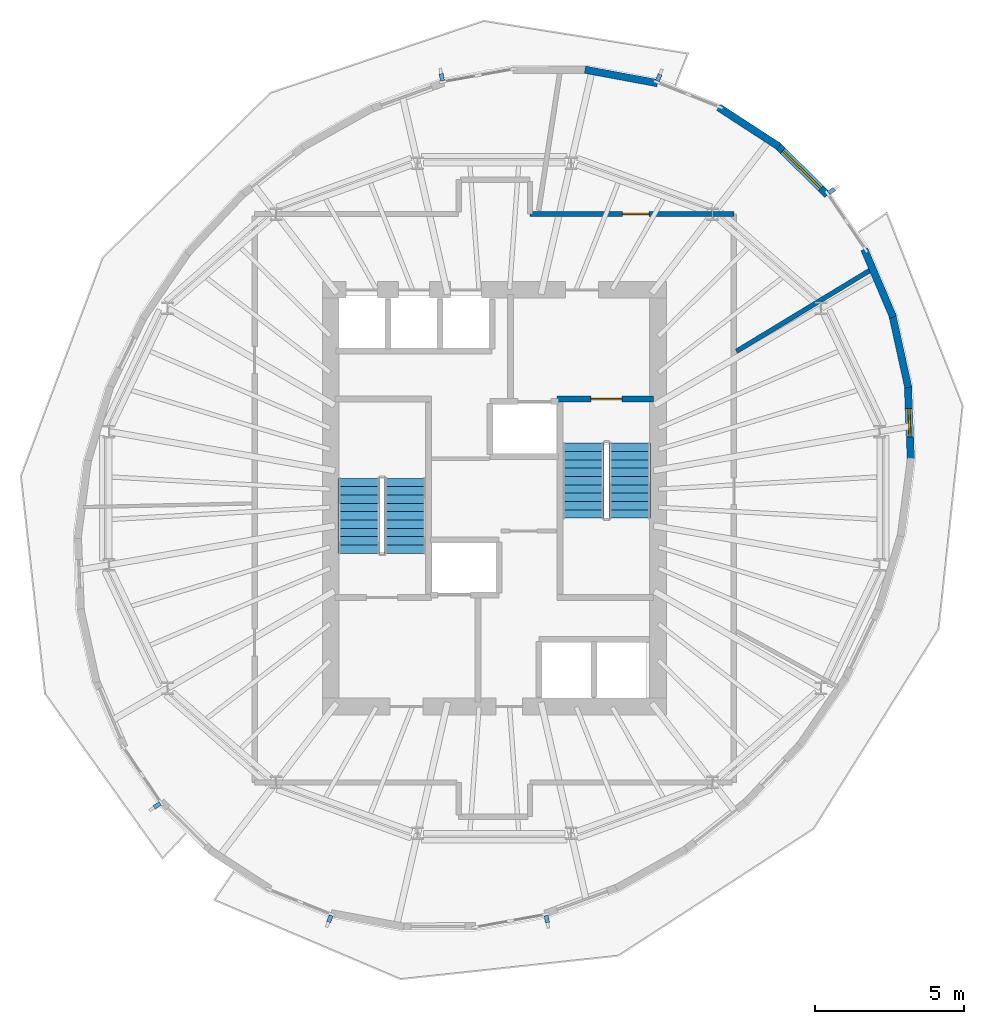
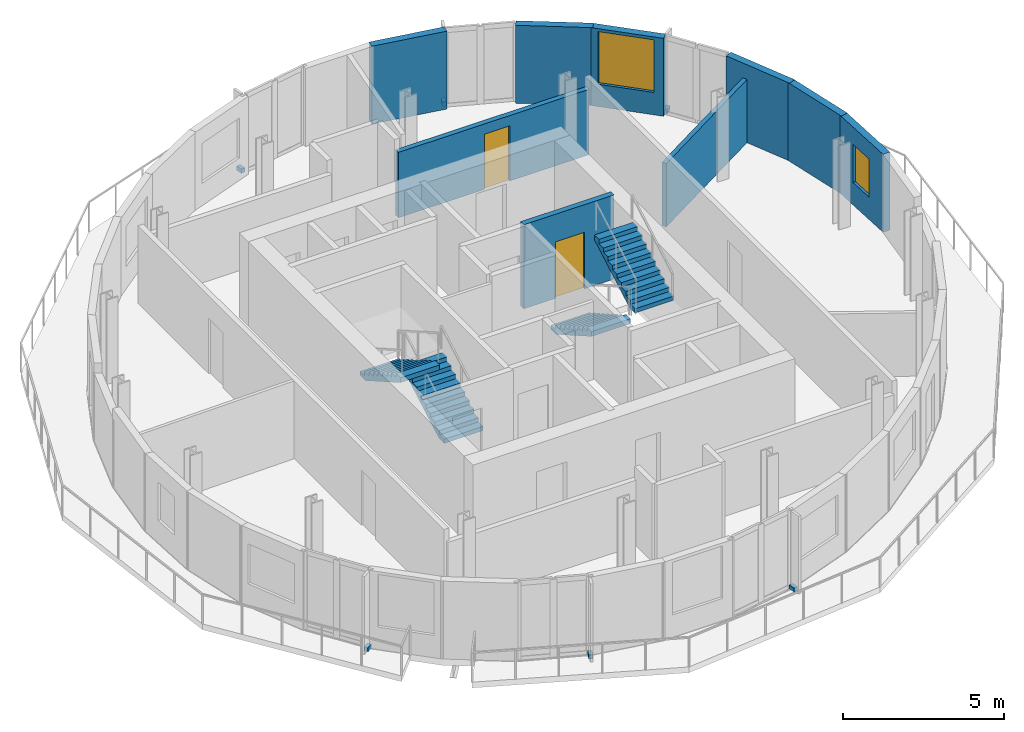
# One storey, part 6 of 9: 9 walls, 6 discrete accessories, 4 stair flights, 2 doors, 2 windows, 4 openings, 2 elements without a shape of their own.
"""IFC4 building model written with IfcOpenShell, lengths in metres."""

from ifc_helpers import new_model, si_unit, direction, frame, frame_2d, origin, origin_2d, place, context, subcontext, project, spatial, polyline, rectangle, outline, extrude, material, layer, layer_set, type_object, element, fill, aggregate, save


model = new_model("IFC4")

# Units and contexts
model_context = context("Model", 3, precision=1e-05, world=origin(), true_north=direction((0.0, 1.0)))
body_context = subcontext(model_context, "Body", "Model", "MODEL_VIEW")
ifc_project = project(units=[si_unit("LENGTHUNIT", "METRE"), si_unit("AREAUNIT", "SQUARE_METRE"), si_unit("VOLUMEUNIT", "CUBIC_METRE"), si_unit("PLANEANGLEUNIT", "RADIAN"), si_unit("MASSUNIT", "GRAM", prefix="KILO")], contexts=[model_context])

# Site, building, storey
site_placement = place(None, origin())
site = spatial("IfcSite", under=ifc_project, at=site_placement, CompositionType="ELEMENT")
building_placement = place(site_placement, origin())
building = spatial("IfcBuilding", under=site, at=building_placement, Name="Veldorim Arch Residences", CompositionType="ELEMENT")
storey_placement = place(building_placement, frame((0.0, 0.0, 204.639892578125)))
storey = spatial("IfcBuildingStorey", under=building, at=storey_placement, Name="L61", CompositionType="ELEMENT", Elevation=204.639892578125)

# Wall, opening, door
ifc_material_1 = material(Name="Lightweight Masonry Block & Gypsum", Category="masonry")
ifc_layer_1 = layer(ifc_material_1, 0.179931640625, Name="Compartment & Corridor Fire-Rated Party Wall 180")
ifc_layer_set_1 = layer_set([ifc_layer_1], Name="Lightweight Masonry Block & Gypsum")
wall_type_1 = type_object("IfcWallType", Name="Compartment & Corridor Fire-Rated Party Wall 180", PredefinedType="PARTITIONING", material=ifc_layer_set_1)
wall_1_placement = place(storey_placement, frame((33.199951171875, 33.550048828125, 0.0), z_axis=(0.0, 0.0, 1.0), x_axis=(1.0, 0.0, 0.0)))
wall_1 = element("IfcWall", 1, at=wall_1_placement, inside=storey, type_object=wall_type_1, Name="L61 interior wall WL-SKY-L61-005", PredefinedType="PARTITIONING", context=body_context, shape_type="SweptSolid", body=[
    extrude(rectangle(XDim=6.85009765625, YDim=0.179931640625, at=frame_2d((3.425048828125, 0.0))), origin(), (0.0, 0.0, 1.0), 2.488037109375),
])
opening_1_placement = place(wall_1_placement, frame((3.100830078125, 0.0, 0.0)))
opening_1 = element("IfcOpeningElement", 2, at=opening_1_placement, cuts=wall_1, Name="Opening DR-INT", PredefinedType="OPENING", context=body_context, shape_type="SweptSolid", body=[
    extrude(rectangle(XDim=0.89990234375, YDim=2.10009765625, at=frame_2d((0.449951171875, 1.050048828125))), frame((0.0, 0.099853515625, 0.0), z_axis=(0.0, -1.0, 0.0), x_axis=(1.0, 0.0, 0.0)), (0.0, 0.0, 1.0), 0.199951171875),
])
ifc_material_2 = material(Name="Engineered Timber", Category="wood")
door_type_1 = type_object("IfcDoorType", Name="Apartment Internal Room Timber Door 900x2100", OperationType="SINGLE_SWING_LEFT", PredefinedType="DOOR", material=ifc_material_2)
door_1_placement = place(opening_1_placement, origin())
door_1 = element("IfcDoor", 3, at=door_1_placement, inside=storey, type_object=door_type_1, Name="L61 interior door DR-SKY-L61-004", OperationType="SINGLE_SWING_RIGHT", OverallHeight=2.10009765625, OverallWidth=0.89990234375, PredefinedType="DOOR", context=body_context, shape_type="SweptSolid", body=[
    extrude(rectangle(XDim=0.89990234375, YDim=2.10009765625, at=frame_2d((0.449951171875, 1.050048828125))), frame((0.0, 0.02490234375, 0.0), z_axis=(0.0, -1.0, 0.0), x_axis=(1.0, 0.0, 0.0)), (0.0, 0.0, 1.0), 0.050048828125),
])
fill(opening_1, door_1)

ifc_material_3 = material(Name="Concrete C50/60", Category="concrete")
ifc_layer_2 = layer(ifc_material_3, 0.199951171875, Name="Core Stair & Lift Shaft Enclosure Wall 200")
ifc_layer_set_2 = layer_set([ifc_layer_2], Name="Concrete C50/60")
wall_type_2 = type_object("IfcWallType", Name="Core Stair & Lift Shaft Enclosure Wall 200", PredefinedType="SHEAR", material=ifc_layer_set_2)
wall_2_placement = place(storey_placement, frame((34.110107421875, 27.330078125, 0.0), z_axis=(0.0, 0.0, 1.0), x_axis=(1.0, 0.0, 0.0)))
wall_2 = element("IfcWall", 4, at=wall_2_placement, inside=storey, type_object=wall_type_2, Name="L61 shaft wall WL-SHF-L61-ST2-N", PredefinedType="SHEAR", context=body_context, shape_type="SweptSolid", body=[
    extrude(rectangle(XDim=3.239990234375, YDim=0.199951171875, at=frame_2d((1.6201171875, 0.0))), origin(), (0.0, 0.0, 1.0), 3.2001953125),
])
opening_2_placement = place(wall_2_placement, frame((1.135009765625, 0.0, 0.0)))
opening_2 = element("IfcOpeningElement", 5, at=opening_2_placement, cuts=wall_2, Name="Opening DR-ST", PredefinedType="OPENING", context=body_context, shape_type="SweptSolid", body=[
    extrude(rectangle(XDim=1.050048828125, YDim=2.14990234375, at=frame_2d((0.52490234375, 1.074951171875))), frame((0.0, 0.10986328125, 0.0), z_axis=(0.0, -1.0, 0.0), x_axis=(1.0, 0.0, 0.0)), (0.0, 0.0, 1.0), 0.219970703125),
])
ifc_material_4 = material(Name="Fire-Rated Steel", Category="steel")
door_type_2 = type_object("IfcDoorType", Name="Exit Staircase Self-Closing Fire Door 1050x2150", OperationType="SINGLE_SWING_LEFT", PredefinedType="DOOR", material=ifc_material_4)
door_2_placement = place(opening_2_placement, origin())
door_2 = element("IfcDoor", 6, at=door_2_placement, inside=storey, type_object=door_type_2, Name="L61 interior door DR-L61-ST2", OperationType="SINGLE_SWING_RIGHT", OverallHeight=2.14990234375, OverallWidth=1.050048828125, PredefinedType="DOOR", context=body_context, shape_type="SweptSolid", body=[
    extrude(rectangle(XDim=1.050048828125, YDim=2.14990234375, at=frame_2d((0.52490234375, 1.074951171875))), frame((0.0, 0.02490234375, 0.0), z_axis=(0.0, -1.0, 0.0), x_axis=(1.0, 0.0, 0.0)), (0.0, 0.0, 1.0), 0.050048828125),
])
fill(opening_2, door_2)

# Walls
ifc_material_5 = material(Name="Precast concrete C40/50", Category="concrete")
ifc_layer_3 = layer(ifc_material_5, 0.25, Name="Tower Terracotta Spandrel & Pier Wall 250")
ifc_layer_set_3 = layer_set([ifc_layer_3], Name="Precast concrete C40/50")
wall_type_3 = type_object("IfcWallType", Name="Tower Terracotta Spandrel & Pier Wall 250", PredefinedType="SOLIDWALL", material=ifc_layer_set_3)
wall_3_placement = place(storey_placement, frame((39.5361328125, 37.13232421875, 0.0), z_axis=(0.0, 0.0, 1.0), x_axis=(0.83855679862, -0.544814184368, 0.0)))
element("IfcWall", 7, at=wall_3_placement, inside=storey, type_object=wall_type_3, Name="L61 terracotta facade wall 01", PredefinedType="SOLIDWALL", context=body_context, shape_type="SweptSolid", body=[
    extrude(rectangle(XDim=2.41455078125, YDim=0.25, at=frame_2d((1.207275390625, 0.0))), origin(), (0.0, 0.0, 1.0), 2.960205078125),
])
wall_4_placement = place(storey_placement, frame((35.0458984375, 38.400634765625, 0.0), z_axis=(0.0, 0.0, 1.0), x_axis=(0.983080153293, -0.183175905079, 0.0)))
element("IfcWall", 8, at=wall_4_placement, inside=storey, type_object=wall_type_3, Name="L61 terracotta facade wall 03", PredefinedType="SOLIDWALL", context=body_context, shape_type="SweptSolid", body=[
    extrude(rectangle(XDim=2.477783203125, YDim=0.25, at=frame_2d((1.23876953125, 0.0))), origin(), (0.0, 0.0, 1.0), 2.960205078125),
])

# Wall, opening, window
wall_5_placement = place(storey_placement, frame((45.89697265625, 27.8310546875, 0.0), z_axis=(0.0, 0.0, 1.0), x_axis=(0.0391781915, -0.999232239928, 0.0)))
wall_5 = element("IfcWall", 9, at=wall_5_placement, inside=storey, type_object=wall_type_3, Name="L61 terracotta facade wall 32", PredefinedType="SOLIDWALL", context=body_context, shape_type="SweptSolid", body=[
    extrude(rectangle(XDim=2.59228515625, YDim=0.25, at=frame_2d((1.296142578125, 0.0))), origin(), (0.0, 0.0, 1.0), 2.960205078125),
])
opening_3_placement = place(wall_5_placement, frame((0.821044921875, 0.0, 0.85009765625)))
opening_3 = element("IfcOpeningElement", 10, at=opening_3_placement, cuts=wall_5, Name="Opening WN-05", PredefinedType="OPENING", context=body_context, shape_type="SweptSolid", body=[
    extrude(rectangle(XDim=0.949951171875, YDim=1.449951171875, at=frame_2d((0.47509765625, 0.72509765625))), frame((0.0, 0.135009765625, 0.0), z_axis=(0.0, -1.0, 0.0), x_axis=(1.0, 0.0, 0.0)), (0.0, 0.0, 1.0), 0.27001953125),
])
ifc_material_6 = material(Name="Laminated Low-E Glass", Category="glass")
window_type_1 = type_object("IfcWindowType", Name="Residential Compact Casement Window 950x1450", PartitioningType="SINGLE_PANEL", PredefinedType="WINDOW", material=ifc_material_6)
window_1_placement = place(opening_3_placement, origin())
window_1 = element("IfcWindow", 11, at=window_1_placement, inside=storey, type_object=window_type_1, Name="L61 solar-control facade window 32", OverallHeight=1.449951171875, OverallWidth=0.949951171875, PartitioningType="SINGLE_PANEL", PredefinedType="WINDOW", context=body_context, shape_type="SweptSolid", body=[
    extrude(rectangle(XDim=0.949951171875, YDim=1.449951171875, at=frame_2d((0.47509765625, 0.72509765625))), frame((0.0, 0.030029296875, 0.0), z_axis=(0.0, -1.0, 0.0), x_axis=(1.0, 0.0, 0.0)), (0.0, 0.0, 1.0), 0.06005859375),
])
fill(opening_3, window_1)

# Walls
wall_6_placement = place(storey_placement, frame((45.367919921875, 30.193115234375, 0.0), z_axis=(0.0, 0.0, 1.0), x_axis=(0.214642879542, -0.976692599676, 0.0)))
element("IfcWall", 12, at=wall_6_placement, inside=storey, type_object=wall_type_3, Name="L61 terracotta facade wall 33", PredefinedType="SOLIDWALL", context=body_context, shape_type="SweptSolid", body=[
    extrude(rectangle(XDim=2.531982421875, YDim=0.25, at=frame_2d((1.26611328125, 0.0))), origin(), (0.0, 0.0, 1.0), 2.960205078125),
])
wall_7_placement = place(storey_placement, frame((44.4326171875, 32.3662109375, 0.0), z_axis=(0.0, 0.0, 1.0), x_axis=(0.391230346066, -0.920292788365, 0.0)))
element("IfcWall", 13, at=wall_7_placement, inside=storey, type_object=wall_type_3, Name="L61 terracotta facade wall 34", PredefinedType="SOLIDWALL", context=body_context, shape_type="SweptSolid", body=[
    extrude(rectangle(XDim=2.47802734375, YDim=0.25, at=frame_2d((1.239013671875, 0.0))), origin(), (0.0, 0.0, 1.0), 2.960205078125),
])

# Wall, opening, window
wall_8_placement = place(storey_placement, frame((41.471435546875, 35.888671875, 0.0), z_axis=(0.0, 0.0, 1.0), x_axis=(0.713146654272, -0.701014871098, 0.0)))
wall_8 = element("IfcWall", 14, at=wall_8_placement, inside=storey, type_object=wall_type_3, Name="L61 terracotta facade wall 36", PredefinedType="SOLIDWALL", context=body_context, shape_type="SweptSolid", body=[
    extrude(rectangle(XDim=2.414794921875, YDim=0.25, at=frame_2d((1.20751953125, 0.0))), origin(), (0.0, 0.0, 1.0), 2.960205078125),
])
opening_4_placement = place(wall_8_placement, frame((0.306884765625, 0.0, 0.85009765625)))
opening_4 = element("IfcOpeningElement", 15, at=opening_4_placement, cuts=wall_8, Name="Opening WN-04", PredefinedType="OPENING", context=body_context, shape_type="SweptSolid", body=[
    extrude(rectangle(XDim=1.800048828125, YDim=2.0, at=frame_2d((0.89990234375, 1.0))), frame((0.0, 0.135009765625, 0.0), z_axis=(0.0, -1.0, 0.0), x_axis=(1.0, 0.0, 0.0)), (0.0, 0.0, 1.0), 0.27001953125),
])
ifc_material_7 = material(Name="Laminated Low-E Glass", Category="glass")
window_type_2 = type_object("IfcWindowType", Name="Sky Lounge Tall Picture Window 1800x1370", PartitioningType="SINGLE_PANEL", PredefinedType="WINDOW", material=ifc_material_7)
window_2_placement = place(opening_4_placement, origin())
window_2 = element("IfcWindow", 16, at=window_2_placement, inside=storey, type_object=window_type_2, Name="L61 solar-control facade window 36", OverallHeight=2.0, OverallWidth=1.800048828125, PartitioningType="SINGLE_PANEL", PredefinedType="WINDOW", context=body_context, shape_type="SweptSolid", body=[
    extrude(rectangle(XDim=1.800048828125, YDim=2.0, at=frame_2d((0.89990234375, 1.0))), frame((0.0, 0.030029296875, 0.0), z_axis=(0.0, -1.0, 0.0), x_axis=(1.0, 0.0, 0.0)), (0.0, 0.0, 1.0), 0.06005859375),
])
fill(opening_4, window_2)

# Wall
ifc_material_8 = material(Name="Moisture-Resistant Gypsum & Stud", Category="gypsum")
ifc_layer_4 = layer(ifc_material_8, 0.159912109375, Name="Wet-Area Moisture-Resistant Plumbing Wall 160")
ifc_layer_set_4 = layer_set([ifc_layer_4], Name="Moisture-Resistant Gypsum & Stud")
wall_type_4 = type_object("IfcWallType", Name="Wet-Area Moisture-Resistant Plumbing Wall 160", PredefinedType="PLUMBINGWALL", material=ifc_layer_set_4)
wall_9_placement = place(storey_placement, frame((40.135498046875, 28.934814453125, 0.0), z_axis=(0.0, 0.0, 1.0), x_axis=(0.854997779071, 0.518631659064, 0.0)))
element("IfcWall", 17, at=wall_9_placement, inside=storey, type_object=wall_type_4, Name="L61 interior wall WL-SKY-L61-016", PredefinedType="PLUMBINGWALL", context=body_context, shape_type="SweptSolid", body=[
    extrude(rectangle(XDim=5.29638671875, YDim=0.159912109375, at=frame_2d((2.648193359375, 0.0))), origin(), (0.0, 0.0, 1.0), 2.403564453125),
])

# Stair, stair flights
ifc_material_9 = material(Name="Concrete C40/50", Category="concrete")
stair_type = type_object("IfcStairType", Name="Reinforced Concrete Dogleg Exit Staircase", PredefinedType="HALF_TURN_STAIR", material=ifc_material_9)
stair_1_placement = place(storey_placement, origin())
stair_1 = element("IfcStair", 18, at=stair_1_placement, inside=storey, type_object=stair_type, Name="L61 Exit Staircase ST-1", PredefinedType="HALF_TURN_STAIR")
ifc_material_10 = material(Name="Concrete C40/50", Category="concrete")
stair_flight_type = type_object("IfcStairFlightType", Name="Reinforced Concrete Stair Flight 1400", PredefinedType="STRAIGHT", material=ifc_material_10)
stair_flight_1_placement = place(storey_placement, frame((29.010009765625, 22.14990234375, 0.0), z_axis=(0.0, 0.0, 1.0), x_axis=(0.0, 1.0, 0.0)))
stair_flight_1 = element("IfcStairFlight", 19, at=stair_flight_1_placement, type_object=stair_flight_type, Name="ST-1 flight 1", NumberOfRisers=10, NumberOfTreads=9, PredefinedType="STRAIGHT", RiserHeight=0.16, TreadLength=0.28, context=body_context, shape_type="SweptSolid", body=[
    extrude(outline(polyline([(0.0, 0.0), (0.0, 0.159912109375), (0.280029296875, 0.159912109375), (0.280029296875, 0.320068359375), (0.56005859375, 0.320068359375), (0.56005859375, 0.47998046875), (0.840087890625, 0.47998046875), (0.840087890625, 0.639892578125), (1.1201171875, 0.639892578125), (1.1201171875, 0.800048828125), (1.39990234375, 0.800048828125), (1.39990234375, 0.9599609375), (1.679931640625, 0.9599609375), (1.679931640625, 1.1201171875), (1.9599609375, 1.1201171875), (1.9599609375, 1.280029296875), (2.239990234375, 1.280029296875), (2.239990234375, 1.43994140625), (2.52001953125, 1.43994140625), (2.52001953125, 1.60009765625), (2.52001953125, 1.255859375), (0.322265625, 0.0), (0.0, 0.0)])), frame((0.0, 0.699951171875, 0.0), z_axis=(0.0, -1.0, 0.0), x_axis=(1.0, 0.0, 0.0)), (0.0, 0.0, 1.0), 1.39990234375),
])
stair_flight_2_placement = place(storey_placement, frame((27.449951171875, 24.669921875, 1.60009765625), z_axis=(0.0, 0.0, 1.0), x_axis=(0.0, -1.0, 0.0)))
stair_flight_2 = element("IfcStairFlight", 20, at=stair_flight_2_placement, type_object=stair_flight_type, Name="ST-1 flight 2", NumberOfRisers=10, NumberOfTreads=9, PredefinedType="STRAIGHT", RiserHeight=0.16, TreadLength=0.28, context=body_context, shape_type="SweptSolid", body=[
    extrude(outline(polyline([(0.0, 0.0), (0.0, 0.159912109375), (0.280029296875, 0.159912109375), (0.280029296875, 0.320068359375), (0.56005859375, 0.320068359375), (0.56005859375, 0.47998046875), (0.840087890625, 0.47998046875), (0.840087890625, 0.639892578125), (1.1201171875, 0.639892578125), (1.1201171875, 0.800048828125), (1.39990234375, 0.800048828125), (1.39990234375, 0.9599609375), (1.679931640625, 0.9599609375), (1.679931640625, 1.1201171875), (1.9599609375, 1.1201171875), (1.9599609375, 1.280029296875), (2.239990234375, 1.280029296875), (2.239990234375, 1.43994140625), (2.52001953125, 1.43994140625), (2.52001953125, 1.60009765625), (2.52001953125, 1.255859375), (0.322265625, 0.0), (0.0, 0.0)])), frame((0.0, 0.699951171875, 0.0), z_axis=(0.0, -1.0, 0.0), x_axis=(1.0, 0.0, 0.0)), (0.0, 0.0, 1.0), 1.39990234375),
])
aggregate(stair_1, [stair_flight_1, stair_flight_2])

stair_2_placement = place(storey_placement, origin())
stair_2 = element("IfcStair", 21, at=stair_2_placement, inside=storey, type_object=stair_type, Name="L61 Exit Staircase ST-2", PredefinedType="HALF_TURN_STAIR")
stair_flight_3_placement = place(storey_placement, frame((34.989990234375, 25.85009765625, 0.0), z_axis=(0.0, 0.0, 1.0), x_axis=(0.0, -1.0, 0.0)))
stair_flight_3 = element("IfcStairFlight", 22, at=stair_flight_3_placement, type_object=stair_flight_type, Name="ST-2 flight 1", NumberOfRisers=10, NumberOfTreads=9, PredefinedType="STRAIGHT", RiserHeight=0.16, TreadLength=0.28, context=body_context, shape_type="SweptSolid", body=[
    extrude(outline(polyline([(0.0, 0.0), (0.0, 0.159912109375), (0.280029296875, 0.159912109375), (0.280029296875, 0.320068359375), (0.56005859375, 0.320068359375), (0.56005859375, 0.47998046875), (0.840087890625, 0.47998046875), (0.840087890625, 0.639892578125), (1.1201171875, 0.639892578125), (1.1201171875, 0.800048828125), (1.39990234375, 0.800048828125), (1.39990234375, 0.9599609375), (1.679931640625, 0.9599609375), (1.679931640625, 1.1201171875), (1.9599609375, 1.1201171875), (1.9599609375, 1.280029296875), (2.239990234375, 1.280029296875), (2.239990234375, 1.43994140625), (2.52001953125, 1.43994140625), (2.52001953125, 1.60009765625), (2.52001953125, 1.255859375), (0.322265625, 0.0), (0.0, 0.0)])), frame((0.0, 0.699951171875, 0.0), z_axis=(0.0, -1.0, 0.0), x_axis=(1.0, 0.0, 0.0)), (0.0, 0.0, 1.0), 1.39990234375),
])
stair_flight_4_placement = place(storey_placement, frame((36.550048828125, 23.330078125, 1.60009765625), z_axis=(0.0, 0.0, 1.0), x_axis=(0.0, 1.0, 0.0)))
stair_flight_4 = element("IfcStairFlight", 23, at=stair_flight_4_placement, type_object=stair_flight_type, Name="ST-2 flight 2", NumberOfRisers=10, NumberOfTreads=9, PredefinedType="STRAIGHT", RiserHeight=0.16, TreadLength=0.28, context=body_context, shape_type="SweptSolid", body=[
    extrude(outline(polyline([(0.0, 0.0), (0.0, 0.159912109375), (0.280029296875, 0.159912109375), (0.280029296875, 0.320068359375), (0.56005859375, 0.320068359375), (0.56005859375, 0.47998046875), (0.840087890625, 0.47998046875), (0.840087890625, 0.639892578125), (1.1201171875, 0.639892578125), (1.1201171875, 0.800048828125), (1.39990234375, 0.800048828125), (1.39990234375, 0.9599609375), (1.679931640625, 0.9599609375), (1.679931640625, 1.1201171875), (1.9599609375, 1.1201171875), (1.9599609375, 1.280029296875), (2.239990234375, 1.280029296875), (2.239990234375, 1.43994140625), (2.52001953125, 1.43994140625), (2.52001953125, 1.60009765625), (2.52001953125, 1.255859375), (0.322265625, 0.0), (0.0, 0.0)])), frame((0.0, 0.699951171875, 0.0), z_axis=(0.0, -1.0, 0.0), x_axis=(1.0, 0.0, 0.0)), (0.0, 0.0, 1.0), 1.39990234375),
])
aggregate(stair_2, [stair_flight_3, stair_flight_4])

# Discrete accessories
ifc_material_11 = material(Name="Stainless Steel", Category="steel")
discrete_accessory_type = type_object("IfcDiscreteAccessoryType", Name="Stainless Steel Facade Fin Anchor Bracket", PredefinedType="BRACKET", material=ifc_material_11)
for number, where, z_axis, x_axis, name in (
    (24, (37.5234375, 38.128173828125, -0.02001953125), (0.0, 0.0, 1.0), (0.92958360888, -0.36861133203, 0.0), "L61 stainless fin anchor bracket 02"),
    (25, (30.2353515625, 38.14306640625, -0.02001953125), (0.0, 0.0, 1.0), (0.984102751709, 0.177600039637, 0.0), "L61 stainless fin anchor bracket 05"),
    (26, (20.67041015625, 13.67724609375, -0.02001953125), (0.0, 0.0, 1.0), (-0.560783509816, 0.827962472047, 0.0), "L61 stainless fin anchor bracket 17"),
    (27, (26.4765625, 9.871826171875, -0.02001953125), (0.0, 0.0, 1.0), (-0.92958360888, 0.36861133203, 0.0), "L61 stainless fin anchor bracket 20"),
    (28, (33.7646484375, 9.85693359375, -0.02001953125), (0.0, 0.0, 1.0), (-0.984102751709, -0.177600039637, 0.0), "L61 stainless fin anchor bracket 23"),
    (29, (43.32958984375, 34.32275390625, -0.02001953125), (0.0, 0.0, 1.0), (0.560783509816, -0.827962472047, 0.0), "L61 stainless fin anchor bracket 35"),
):
    element("IfcDiscreteAccessory", number, at=place(storey_placement, frame(where, z_axis=z_axis, x_axis=x_axis)), inside=storey, type_object=discrete_accessory_type, Name=name, PredefinedType="BRACKET", context=body_context, shape_type="SweptSolid", body=[
        extrude(rectangle(XDim=0.139892578125, YDim=0.239990234375, at=origin_2d()), origin(), (0.0, 0.0, 1.0), 0.159912109375),
    ])

save(model, "model.ifc")
